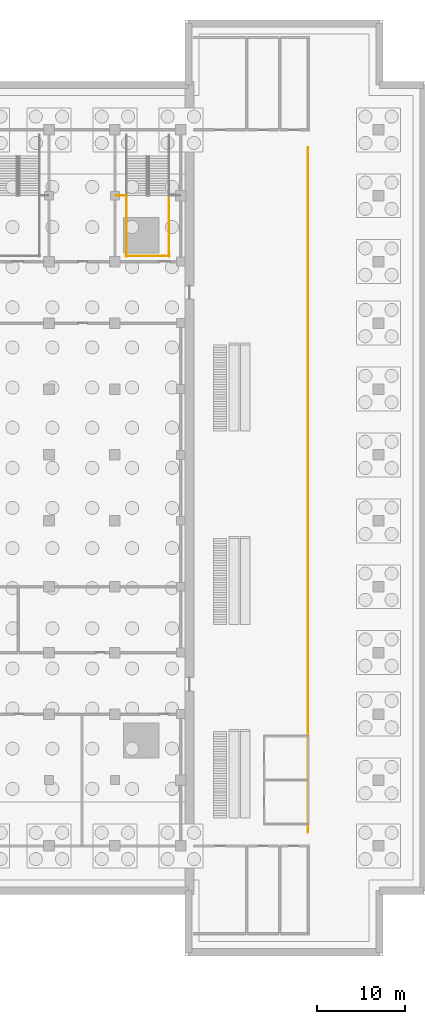
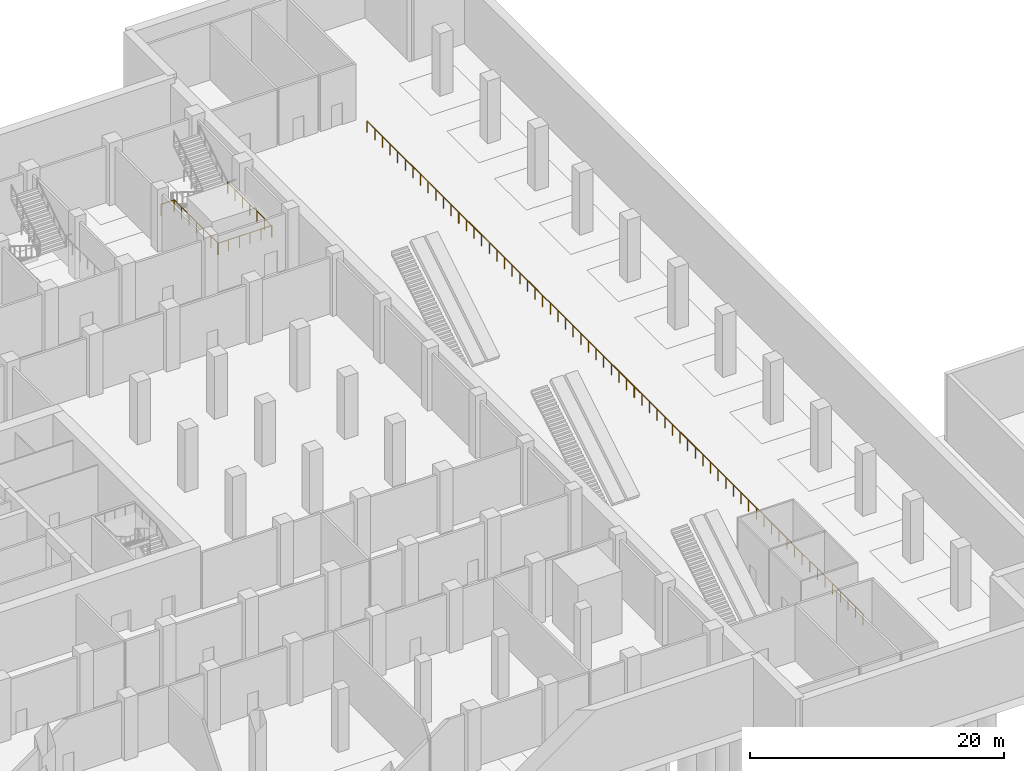
# One storey, part 34 of 39: 5 railings.
"""IFC4 building model written with IfcOpenShell, lengths in metres."""

from ifc_helpers import new_model, si_unit, direction, frame, origin, origin_2d, place, context, subcontext, project, spatial, circle, extrude, material, type_object, element, save


model = new_model("IFC4")

# Units and contexts
model_context = context("Model", 3, precision=1e-05, world=origin(), true_north=direction((0.0, 1.0)))
body_context = subcontext(model_context, "Body", "Model", "MODEL_VIEW")
ifc_project = project(units=[si_unit("LENGTHUNIT", "METRE"), si_unit("AREAUNIT", "SQUARE_METRE"), si_unit("VOLUMEUNIT", "CUBIC_METRE"), si_unit("PLANEANGLEUNIT", "RADIAN"), si_unit("MASSUNIT", "GRAM", prefix="KILO")], contexts=[model_context])

# Site, building, storey
site_placement = place(None, origin())
site = spatial("IfcSite", under=ifc_project, at=site_placement, CompositionType="ELEMENT")
building_placement = place(site_placement, origin())
building = spatial("IfcBuilding", under=site, at=building_placement, Name="Tamorin Gate", CompositionType="ELEMENT")
storey_placement = place(building_placement, frame((0.0, 0.0, -12.0)))
storey = spatial("IfcBuildingStorey", under=building, at=storey_placement, Name="B2", CompositionType="ELEMENT", Elevation=-12.0)

# Railings
ifc_material = material(Name="Steel", Category="steel")
railing_type_1 = type_object("IfcRailingType", Name="Podium guard 1100", PredefinedType="GUARDRAIL", material=ifc_material)
for number, where, name in (
    (1, (83.324951171875, 104.52001953125, 3.0), "B2 SB5 stair guard 3"),
    (2, (88.175048828125, 104.52001953125, 3.0), "B2 SB5 stair guard 4"),
):
    element("IfcRailing", number, at=place(storey_placement, frame(where)), inside=storey, type_object=railing_type_1, Name=name, PredefinedType="GUARDRAIL", context=body_context, shape_type="SweptSolid", body=[
        extrude(circle(Radius=0.02392578125, at=origin_2d()), frame((0.0, 0.0, 1.076171875), z_axis=(0.0, -1.0, 0.0), x_axis=(1.0, 0.0, 0.0)), (0.0, 0.0, 1.0), 6.919921875),
        extrude(circle(Radius=0.02099609375, at=origin_2d()), origin(), (0.0, 0.0, 1.0), 1.052001953125),
        extrude(circle(Radius=0.02099609375, at=origin_2d()), frame((0.0, -1.1533203125, 0.0)), (0.0, 0.0, 1.0), 1.052001953125),
        extrude(circle(Radius=0.02099609375, at=origin_2d()), frame((0.0, -2.306640625, 0.0)), (0.0, 0.0, 1.0), 1.052001953125),
        extrude(circle(Radius=0.02099609375, at=origin_2d()), frame((0.0, -3.4599609375, 0.0)), (0.0, 0.0, 1.0), 1.052001953125),
        extrude(circle(Radius=0.02099609375, at=origin_2d()), frame((0.0, -4.61328125, 0.0)), (0.0, 0.0, 1.0), 1.052001953125),
        extrude(circle(Radius=0.02099609375, at=origin_2d()), frame((0.0, -5.7666015625, 0.0)), (0.0, 0.0, 1.0), 1.052001953125),
        extrude(circle(Radius=0.02099609375, at=origin_2d()), frame((0.0, -6.919921875, 0.0)), (0.0, 0.0, 1.0), 1.052001953125),
    ])
railing_1_placement = place(storey_placement, frame((83.27490234375, 97.64990234375, 3.0)))
element("IfcRailing", 3, at=railing_1_placement, inside=storey, type_object=railing_type_1, Name="B2 SB5 stair guard 5", PredefinedType="GUARDRAIL", context=body_context, shape_type="SweptSolid", body=[
    extrude(circle(Radius=0.02392578125, at=origin_2d()), frame((0.0, 0.0, 1.076171875), z_axis=(1.0, 0.0, 0.0), x_axis=(0.0, 1.0, 0.0)), (0.0, 0.0, 1.0), 4.9501953125),
    extrude(circle(Radius=0.02099609375, at=origin_2d()), origin(), (0.0, 0.0, 1.0), 1.052001953125),
    extrude(circle(Radius=0.02099609375, at=origin_2d()), frame((0.989990234375, 0.0, 0.0)), (0.0, 0.0, 1.0), 1.052001953125),
    extrude(circle(Radius=0.02099609375, at=origin_2d()), frame((1.97998046875, 0.0, 0.0)), (0.0, 0.0, 1.0), 1.052001953125),
    extrude(circle(Radius=0.02099609375, at=origin_2d()), frame((2.97021484375, 0.0, 0.0)), (0.0, 0.0, 1.0), 1.052001953125),
    extrude(circle(Radius=0.02099609375, at=origin_2d()), frame((3.960205078125, 0.0, 0.0)), (0.0, 0.0, 1.0), 1.052001953125),
    extrude(circle(Radius=0.02099609375, at=origin_2d()), frame((4.9501953125, 0.0, 0.0)), (0.0, 0.0, 1.0), 1.052001953125),
])
railing_2_placement = place(storey_placement, frame((82.10009765625, 104.52001953125, 3.0)))
element("IfcRailing", 4, at=railing_2_placement, inside=storey, type_object=railing_type_1, Name="Landing edge guard", PredefinedType="GUARDRAIL", context=body_context, shape_type="SweptSolid", body=[
    extrude(circle(Radius=0.02392578125, at=origin_2d()), frame((0.0, 0.0, 1.076171875), z_axis=(1.0, 0.0, 0.0), x_axis=(0.0, 1.0, 0.0)), (0.0, 0.0, 1.0), 1.1748046875),
    extrude(circle(Radius=0.02099609375, at=origin_2d()), origin(), (0.0, 0.0, 1.0), 1.052001953125),
    extrude(circle(Radius=0.02099609375, at=origin_2d()), frame((1.1748046875, 0.0, 0.0)), (0.0, 0.0, 1.0), 1.052001953125),
])
railing_type_2 = type_object("IfcRailingType", Name="Station barrier 1100", PredefinedType="GUARDRAIL", material=ifc_material)
railing_3_placement = place(storey_placement, frame((104.0, 32.0, 0.0)))
element("IfcRailing", 5, at=railing_3_placement, inside=storey, type_object=railing_type_2, Name="Station barrier 1100", PredefinedType="GUARDRAIL", context=body_context, shape_type="SweptSolid", body=[
    extrude(circle(Radius=0.02392578125, at=origin_2d()), frame((0.0, 0.0, 1.076171875), z_axis=(0.0, 1.0, 0.0), x_axis=(-1.0, 0.0, 0.0)), (0.0, 0.0, 1.0), 78.0),
    extrude(circle(Radius=0.02099609375, at=origin_2d()), origin(), (0.0, 0.0, 1.0), 1.052001953125),
    extrude(circle(Radius=0.02099609375, at=origin_2d()), frame((0.0, 1.199951171875, 0.0)), (0.0, 0.0, 1.0), 1.052001953125),
    extrude(circle(Radius=0.02099609375, at=origin_2d()), frame((0.0, 2.39990234375, 0.0)), (0.0, 0.0, 1.0), 1.052001953125),
    extrude(circle(Radius=0.02099609375, at=origin_2d()), frame((0.0, 3.60009765625, 0.0)), (0.0, 0.0, 1.0), 1.052001953125),
    extrude(circle(Radius=0.02099609375, at=origin_2d()), frame((0.0, 4.800048828125, 0.0)), (0.0, 0.0, 1.0), 1.052001953125),
    extrude(circle(Radius=0.02099609375, at=origin_2d()), frame((0.0, 6.0, 0.0)), (0.0, 0.0, 1.0), 1.052001953125),
    extrude(circle(Radius=0.02099609375, at=origin_2d()), frame((0.0, 7.199951171875, 0.0)), (0.0, 0.0, 1.0), 1.052001953125),
    extrude(circle(Radius=0.02099609375, at=origin_2d()), frame((0.0, 8.39990234375, 0.0)), (0.0, 0.0, 1.0), 1.052001953125),
    extrude(circle(Radius=0.02099609375, at=origin_2d()), frame((0.0, 9.60009765625, 0.0)), (0.0, 0.0, 1.0), 1.052001953125),
    extrude(circle(Radius=0.02099609375, at=origin_2d()), frame((0.0, 10.800048828125, 0.0)), (0.0, 0.0, 1.0), 1.052001953125),
    extrude(circle(Radius=0.02099609375, at=origin_2d()), frame((0.0, 12.0, 0.0)), (0.0, 0.0, 1.0), 1.052001953125),
    extrude(circle(Radius=0.02099609375, at=origin_2d()), frame((0.0, 13.199951171875, 0.0)), (0.0, 0.0, 1.0), 1.052001953125),
    extrude(circle(Radius=0.02099609375, at=origin_2d()), frame((0.0, 14.39990234375, 0.0)), (0.0, 0.0, 1.0), 1.052001953125),
    extrude(circle(Radius=0.02099609375, at=origin_2d()), frame((0.0, 15.60009765625, 0.0)), (0.0, 0.0, 1.0), 1.052001953125),
    extrude(circle(Radius=0.02099609375, at=origin_2d()), frame((0.0, 16.800048828125, 0.0)), (0.0, 0.0, 1.0), 1.052001953125),
    extrude(circle(Radius=0.02099609375, at=origin_2d()), frame((0.0, 18.0, 0.0)), (0.0, 0.0, 1.0), 1.052001953125),
    extrude(circle(Radius=0.02099609375, at=origin_2d()), frame((0.0, 19.199951171875, 0.0)), (0.0, 0.0, 1.0), 1.052001953125),
    extrude(circle(Radius=0.02099609375, at=origin_2d()), frame((0.0, 20.39990234375, 0.0)), (0.0, 0.0, 1.0), 1.052001953125),
    extrude(circle(Radius=0.02099609375, at=origin_2d()), frame((0.0, 21.60009765625, 0.0)), (0.0, 0.0, 1.0), 1.052001953125),
    extrude(circle(Radius=0.02099609375, at=origin_2d()), frame((0.0, 22.800048828125, 0.0)), (0.0, 0.0, 1.0), 1.052001953125),
    extrude(circle(Radius=0.02099609375, at=origin_2d()), frame((0.0, 24.0, 0.0)), (0.0, 0.0, 1.0), 1.052001953125),
    extrude(circle(Radius=0.02099609375, at=origin_2d()), frame((0.0, 25.199951171875, 0.0)), (0.0, 0.0, 1.0), 1.052001953125),
    extrude(circle(Radius=0.02099609375, at=origin_2d()), frame((0.0, 26.39990234375, 0.0)), (0.0, 0.0, 1.0), 1.052001953125),
    extrude(circle(Radius=0.02099609375, at=origin_2d()), frame((0.0, 27.60009765625, 0.0)), (0.0, 0.0, 1.0), 1.052001953125),
    extrude(circle(Radius=0.02099609375, at=origin_2d()), frame((0.0, 28.800048828125, 0.0)), (0.0, 0.0, 1.0), 1.052001953125),
    extrude(circle(Radius=0.02099609375, at=origin_2d()), frame((0.0, 30.0, 0.0)), (0.0, 0.0, 1.0), 1.052001953125),
    extrude(circle(Radius=0.02099609375, at=origin_2d()), frame((0.0, 31.199951171875, 0.0)), (0.0, 0.0, 1.0), 1.052001953125),
    extrude(circle(Radius=0.02099609375, at=origin_2d()), frame((0.0, 32.39990234375, 0.0)), (0.0, 0.0, 1.0), 1.052001953125),
    extrude(circle(Radius=0.02099609375, at=origin_2d()), frame((0.0, 33.60009765625, 0.0)), (0.0, 0.0, 1.0), 1.052001953125),
    extrude(circle(Radius=0.02099609375, at=origin_2d()), frame((0.0, 34.800048828125, 0.0)), (0.0, 0.0, 1.0), 1.052001953125),
    extrude(circle(Radius=0.02099609375, at=origin_2d()), frame((0.0, 36.0, 0.0)), (0.0, 0.0, 1.0), 1.052001953125),
    extrude(circle(Radius=0.02099609375, at=origin_2d()), frame((0.0, 37.199951171875, 0.0)), (0.0, 0.0, 1.0), 1.052001953125),
    extrude(circle(Radius=0.02099609375, at=origin_2d()), frame((0.0, 38.39990234375, 0.0)), (0.0, 0.0, 1.0), 1.052001953125),
    extrude(circle(Radius=0.02099609375, at=origin_2d()), frame((0.0, 39.60009765625, 0.0)), (0.0, 0.0, 1.0), 1.052001953125),
    extrude(circle(Radius=0.02099609375, at=origin_2d()), frame((0.0, 40.800048828125, 0.0)), (0.0, 0.0, 1.0), 1.052001953125),
    extrude(circle(Radius=0.02099609375, at=origin_2d()), frame((0.0, 42.0, 0.0)), (0.0, 0.0, 1.0), 1.052001953125),
    extrude(circle(Radius=0.02099609375, at=origin_2d()), frame((0.0, 43.199951171875, 0.0)), (0.0, 0.0, 1.0), 1.052001953125),
    extrude(circle(Radius=0.02099609375, at=origin_2d()), frame((0.0, 44.39990234375, 0.0)), (0.0, 0.0, 1.0), 1.052001953125),
    extrude(circle(Radius=0.02099609375, at=origin_2d()), frame((0.0, 45.60009765625, 0.0)), (0.0, 0.0, 1.0), 1.052001953125),
    extrude(circle(Radius=0.02099609375, at=origin_2d()), frame((0.0, 46.800048828125, 0.0)), (0.0, 0.0, 1.0), 1.052001953125),
    extrude(circle(Radius=0.02099609375, at=origin_2d()), frame((0.0, 48.0, 0.0)), (0.0, 0.0, 1.0), 1.052001953125),
    extrude(circle(Radius=0.02099609375, at=origin_2d()), frame((0.0, 49.199951171875, 0.0)), (0.0, 0.0, 1.0), 1.052001953125),
    extrude(circle(Radius=0.02099609375, at=origin_2d()), frame((0.0, 50.39990234375, 0.0)), (0.0, 0.0, 1.0), 1.052001953125),
    extrude(circle(Radius=0.02099609375, at=origin_2d()), frame((0.0, 51.60009765625, 0.0)), (0.0, 0.0, 1.0), 1.052001953125),
    extrude(circle(Radius=0.02099609375, at=origin_2d()), frame((0.0, 52.800048828125, 0.0)), (0.0, 0.0, 1.0), 1.052001953125),
    extrude(circle(Radius=0.02099609375, at=origin_2d()), frame((0.0, 54.0, 0.0)), (0.0, 0.0, 1.0), 1.052001953125),
    extrude(circle(Radius=0.02099609375, at=origin_2d()), frame((0.0, 55.199951171875, 0.0)), (0.0, 0.0, 1.0), 1.052001953125),
    extrude(circle(Radius=0.02099609375, at=origin_2d()), frame((0.0, 56.39990234375, 0.0)), (0.0, 0.0, 1.0), 1.052001953125),
    extrude(circle(Radius=0.02099609375, at=origin_2d()), frame((0.0, 57.60009765625, 0.0)), (0.0, 0.0, 1.0), 1.052001953125),
    extrude(circle(Radius=0.02099609375, at=origin_2d()), frame((0.0, 58.800048828125, 0.0)), (0.0, 0.0, 1.0), 1.052001953125),
    extrude(circle(Radius=0.02099609375, at=origin_2d()), frame((0.0, 60.0, 0.0)), (0.0, 0.0, 1.0), 1.052001953125),
    extrude(circle(Radius=0.02099609375, at=origin_2d()), frame((0.0, 61.199951171875, 0.0)), (0.0, 0.0, 1.0), 1.052001953125),
    extrude(circle(Radius=0.02099609375, at=origin_2d()), frame((0.0, 62.39990234375, 0.0)), (0.0, 0.0, 1.0), 1.052001953125),
    extrude(circle(Radius=0.02099609375, at=origin_2d()), frame((0.0, 63.60009765625, 0.0)), (0.0, 0.0, 1.0), 1.052001953125),
    extrude(circle(Radius=0.02099609375, at=origin_2d()), frame((0.0, 64.800048828125, 0.0)), (0.0, 0.0, 1.0), 1.052001953125),
    extrude(circle(Radius=0.02099609375, at=origin_2d()), frame((0.0, 66.0, 0.0)), (0.0, 0.0, 1.0), 1.052001953125),
    extrude(circle(Radius=0.02099609375, at=origin_2d()), frame((0.0, 67.199951171875, 0.0)), (0.0, 0.0, 1.0), 1.052001953125),
    extrude(circle(Radius=0.02099609375, at=origin_2d()), frame((0.0, 68.39990234375, 0.0)), (0.0, 0.0, 1.0), 1.052001953125),
    extrude(circle(Radius=0.02099609375, at=origin_2d()), frame((0.0, 69.60009765625, 0.0)), (0.0, 0.0, 1.0), 1.052001953125),
    extrude(circle(Radius=0.02099609375, at=origin_2d()), frame((0.0, 70.800048828125, 0.0)), (0.0, 0.0, 1.0), 1.052001953125),
    extrude(circle(Radius=0.02099609375, at=origin_2d()), frame((0.0, 72.0, 0.0)), (0.0, 0.0, 1.0), 1.052001953125),
    extrude(circle(Radius=0.02099609375, at=origin_2d()), frame((0.0, 73.199951171875, 0.0)), (0.0, 0.0, 1.0), 1.052001953125),
    extrude(circle(Radius=0.02099609375, at=origin_2d()), frame((0.0, 74.39990234375, 0.0)), (0.0, 0.0, 1.0), 1.052001953125),
    extrude(circle(Radius=0.02099609375, at=origin_2d()), frame((0.0, 75.60009765625, 0.0)), (0.0, 0.0, 1.0), 1.052001953125),
    extrude(circle(Radius=0.02099609375, at=origin_2d()), frame((0.0, 76.800048828125, 0.0)), (0.0, 0.0, 1.0), 1.052001953125),
    extrude(circle(Radius=0.02099609375, at=origin_2d()), frame((0.0, 78.0, 0.0)), (0.0, 0.0, 1.0), 1.052001953125),
])

save(model, "model.ifc")
